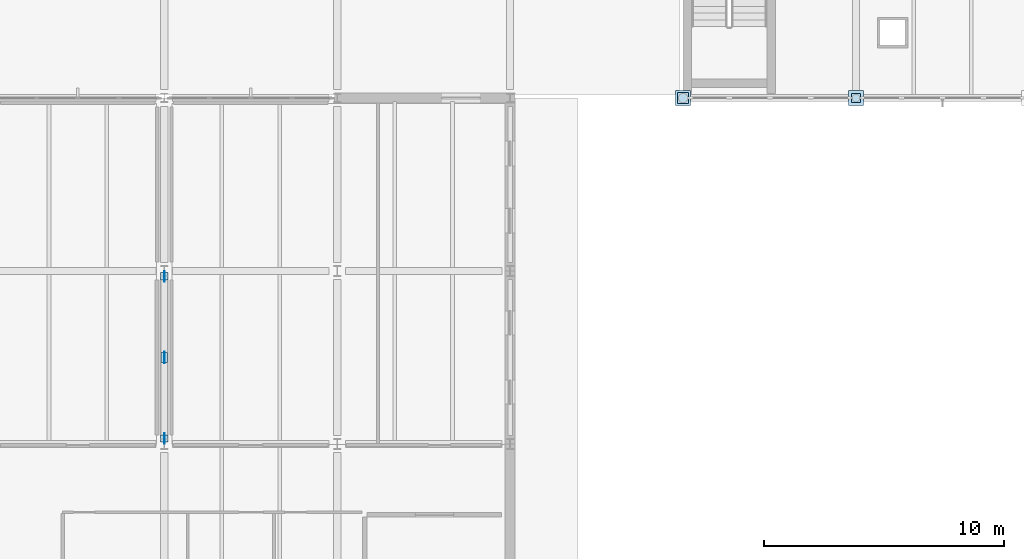
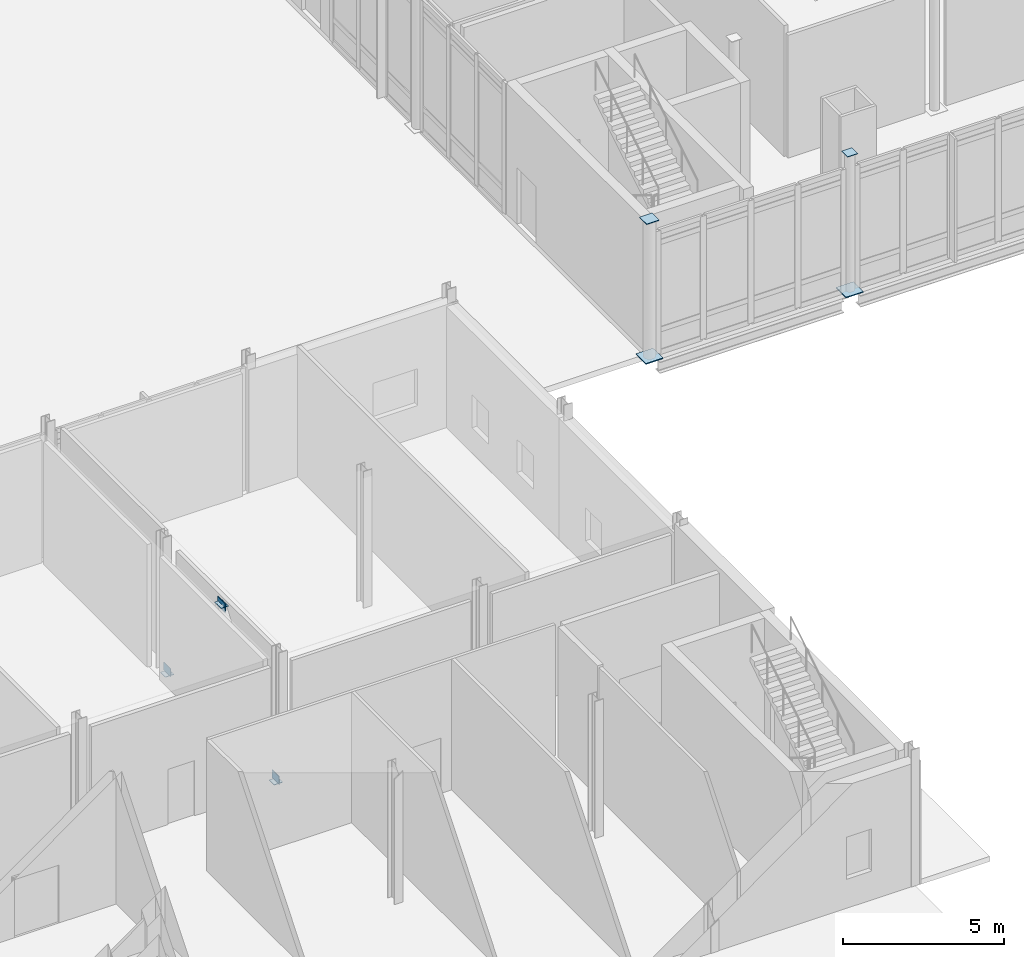
# One storey, part 53 of 89: 10 plates.
"""IFC4 building model written with IfcOpenShell, lengths in metres."""

from ifc_helpers import new_model, si_unit, direction, frame, origin, origin_2d, place, context, subcontext, project, spatial, rectangle, extrude, material, layer, layer_set, type_object, element, save


model = new_model("IFC4")

# Units and contexts
model_context = context("Model", 3, precision=1e-05, world=origin(), true_north=direction((0.0, 1.0)))
body_context = subcontext(model_context, "Body", "Model", "MODEL_VIEW")
ifc_project = project(units=[si_unit("LENGTHUNIT", "METRE"), si_unit("AREAUNIT", "SQUARE_METRE"), si_unit("VOLUMEUNIT", "CUBIC_METRE"), si_unit("PLANEANGLEUNIT", "RADIAN"), si_unit("MASSUNIT", "GRAM", prefix="KILO")], contexts=[model_context])

# Site, building, storey
site_placement = place(None, origin())
site = spatial("IfcSite", under=ifc_project, at=site_placement, CompositionType="ELEMENT")
building_placement = place(site_placement, origin())
building = spatial("IfcBuilding", under=site, at=building_placement, Name="Zarrinpeak Specialist Clinic", CompositionType="ELEMENT")
storey_placement = place(building_placement, origin())
storey = spatial("IfcBuildingStorey", under=building, at=storey_placement, Name="L00", CompositionType="ELEMENT", Elevation=0.0)

# Plates
ifc_material = material(Name="Steel S355", Category="steel")
ifc_layer_1 = layer(ifc_material, 0.035888671875)
ifc_layer_set_1 = layer_set([ifc_layer_1], Name="Steel S355")
plate_type_1 = type_object("IfcPlateType", Name="PL-BP500", PredefinedType="SHEET", material=ifc_layer_set_1)
for number, where, z_axis, x_axis, name in (
    (1, (93.60009765625, 28.800048828125, -0.03173828125), (0.0, 0.0, 1.0), (1.0, 0.0, 0.0), "L00 Hollow Column Baseplate CCAP-B-008"),
    (2, (100.800048828125, 28.800048828125, -0.03173828125), (0.0, 0.0, 1.0), (1.0, 0.0, 0.0), "L00 Hollow Column Baseplate CCAP-B-018"),
):
    element("IfcPlate", number, at=place(storey_placement, frame(where, z_axis=z_axis, x_axis=x_axis)), inside=storey, type_object=plate_type_1, Name=name, PredefinedType="SHEET", context=body_context, shape_type="SweptSolid", body=[
        extrude(rectangle(XDim=0.6201171875, YDim=0.6201171875, at=origin_2d()), origin(), (0.0, 0.0, 1.0), 0.035888671875),
    ])
ifc_layer_2 = layer(ifc_material, 0.01806640625)
ifc_layer_set_2 = layer_set([ifc_layer_2], Name="Steel S355")
plate_type_2 = type_object("IfcPlateType", Name="PL-CAP273", PredefinedType="SHEET", material=ifc_layer_set_2)
for number, where, z_axis, x_axis, name in (
    (3, (72.0, 14.625, 0.0), (0.0, 0.0, 1.0), (1.0, 0.0, 0.0), "V4 L00 Hollow Brace Foot Cap Plate A"),
    (4, (72.0, 21.375, 0.0), (0.0, 0.0, 1.0), (1.0, 0.0, 0.0), "V4 L00 Hollow Brace Foot Cap Plate B"),
):
    element("IfcPlate", number, at=place(storey_placement, frame(where, z_axis=z_axis, x_axis=x_axis)), inside=storey, type_object=plate_type_2, Name=name, PredefinedType="SHEET", context=body_context, shape_type="SweptSolid", body=[
        extrude(rectangle(XDim=0.31005859375, YDim=0.31005859375, at=origin_2d()), origin(), (0.0, 0.0, 1.0), 0.01806640625),
    ])
ifc_layer_3 = layer(ifc_material, 0.02001953125)
ifc_layer_set_3 = layer_set([ifc_layer_3], Name="Steel S355")
plate_type_3 = type_object("IfcPlateType", Name="PL-CAP324", PredefinedType="SHEET", material=ifc_layer_set_3)
plate_1_placement = place(storey_placement, frame((100.800048828125, 28.800048828125, 5.196044921875), z_axis=(0.0, 0.0, 1.0), x_axis=(1.0, 0.0, 0.0)))
element("IfcPlate", 5, at=plate_1_placement, inside=storey, type_object=plate_type_3, Name="L00 Hollow Column Top Cap Plate CCAP-T-017", PredefinedType="SHEET", context=body_context, shape_type="SweptSolid", body=[
    extrude(rectangle(XDim=0.3701171875, YDim=0.3701171875, at=origin_2d()), origin(), (0.0, 0.0, 1.0), 0.02001953125),
])
ifc_layer_4 = layer(ifc_material, 0.02197265625)
ifc_layer_set_4 = layer_set([ifc_layer_4], Name="Steel S355")
plate_type_4 = type_object("IfcPlateType", Name="PL-CAP406", PredefinedType="SHEET", material=ifc_layer_set_4)
plate_2_placement = place(storey_placement, frame((93.60009765625, 28.800048828125, 5.196044921875), z_axis=(0.0, 0.0, 1.0), x_axis=(1.0, 0.0, 0.0)))
element("IfcPlate", 6, at=plate_2_placement, inside=storey, type_object=plate_type_4, Name="L00 Hollow Column Top Cap Plate CCAP-T-007", PredefinedType="SHEET", context=body_context, shape_type="SweptSolid", body=[
    extrude(rectangle(XDim=0.449951171875, YDim=0.449951171875, at=origin_2d()), origin(), (0.0, 0.0, 1.0), 0.02197265625),
])
ifc_layer_5 = layer(ifc_material, 0.02001953125)
ifc_layer_set_5 = layer_set([ifc_layer_5], Name="Steel S355")
plate_type_5 = type_object("IfcPlateType", Name="PL-GN01", PredefinedType="SHEET", material=ifc_layer_set_5)
plate_3_placement = place(storey_placement, frame((72.0, 18.0, 4.509765625), z_axis=(0.0, 0.0, 1.0), x_axis=(1.0, 0.0, 0.0)))
element("IfcPlate", 7, at=plate_3_placement, inside=storey, type_object=plate_type_5, Name="V4 L00 Chevron Gusset Node Plate GN-V4-L00", PredefinedType="SHEET", context=body_context, shape_type="SweptSolid", body=[
    extrude(rectangle(XDim=0.02001953125, YDim=0.47998046875, at=origin_2d()), origin(), (0.0, 0.0, 1.0), 0.340087890625),
])
ifc_layer_6 = layer(ifc_material, 0.01611328125)
ifc_layer_set_6 = layer_set([ifc_layer_6], Name="Steel S355")
plate_type_6 = type_object("IfcPlateType", Name="PL-GN02", PredefinedType="SHEET", material=ifc_layer_set_6)
plate_4_placement = place(storey_placement, frame((72.0, 18.0, 4.677978515625), z_axis=(0.0, 0.0, 1.0), x_axis=(1.0, 0.0, 0.0)))
element("IfcPlate", 8, at=plate_4_placement, inside=storey, type_object=plate_type_6, Name="V4 L00 Chevron Apex Seal Plate GNCAP-V4-L00", PredefinedType="SHEET", context=body_context, shape_type="SweptSolid", body=[
    extrude(rectangle(XDim=0.280029296875, YDim=0.39990234375, at=origin_2d()), origin(), (0.0, 0.0, 1.0), 0.01611328125),
])
ifc_layer_7 = layer(ifc_material, 0.01806640625)
ifc_layer_set_7 = layer_set([ifc_layer_7], Name="Steel S355")
plate_type_7 = type_object("IfcPlateType", Name="PL-GN03", PredefinedType="SHEET", material=ifc_layer_set_7)
for number, where, z_axis, x_axis, name in (
    (9, (72.0, 14.625, 0.0048828125), (0.0, 0.0, 1.0), (1.0, 0.0, 0.0), "V4 L00 Brace Foot Gusset Plate GNF-V4-L00-A"),
    (10, (72.0, 21.375, 0.0048828125), (0.0, 0.0, 1.0), (1.0, 0.0, 0.0), "V4 L00 Brace Foot Gusset Plate GNF-V4-L00-B"),
):
    element("IfcPlate", number, at=place(storey_placement, frame(where, z_axis=z_axis, x_axis=x_axis)), inside=storey, type_object=plate_type_7, Name=name, PredefinedType="SHEET", context=body_context, shape_type="SweptSolid", body=[
        extrude(rectangle(XDim=0.01806640625, YDim=0.43994140625, at=origin_2d()), origin(), (0.0, 0.0, 1.0), 0.31005859375),
    ])

save(model, "model.ifc")
